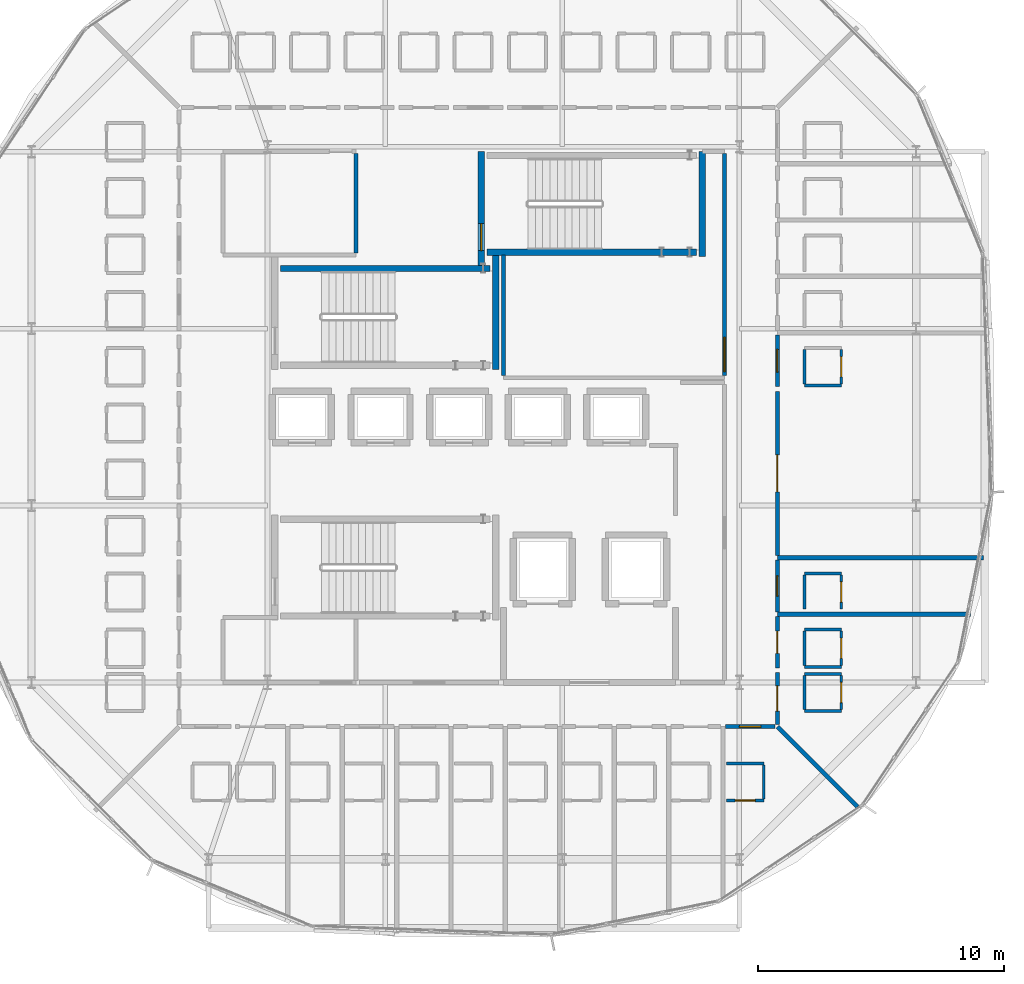
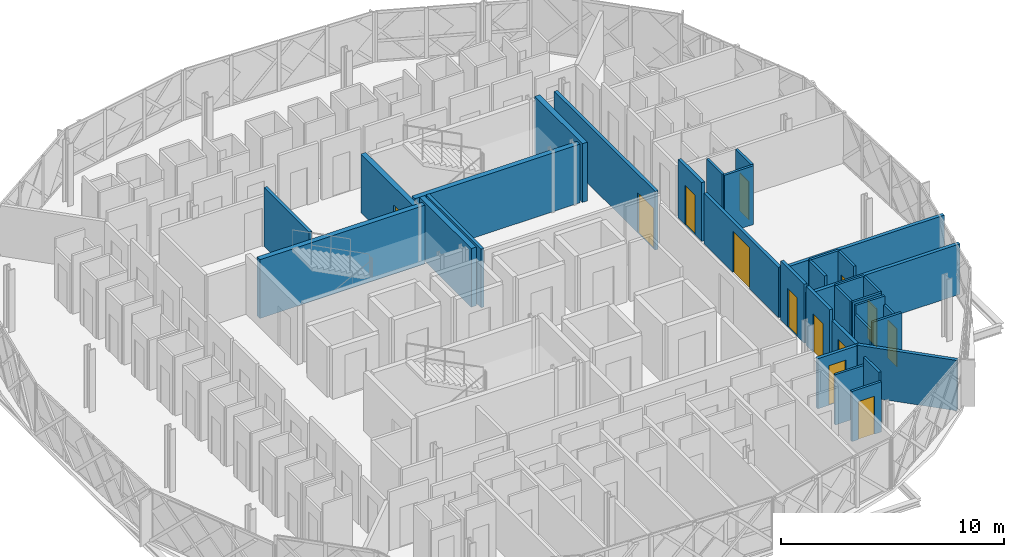
# One storey, part 32 of 40: 34 walls, 13 doors, 13 openings.
"""IFC4 building model written with IfcOpenShell, lengths in metres."""

from ifc_helpers import new_model, si_unit, direction, frame, frame_2d, origin, place, context, subcontext, project, spatial, rectangle, extrude, material, layer, layer_set, type_object, element, fill, save


model = new_model("IFC4")

# Units and contexts
model_context = context("Model", 3, precision=1e-05, world=origin(), true_north=direction((0.0, 1.0)))
body_context = subcontext(model_context, "Body", "Model", "MODEL_VIEW")
ifc_project = project(units=[si_unit("LENGTHUNIT", "METRE"), si_unit("AREAUNIT", "SQUARE_METRE"), si_unit("VOLUMEUNIT", "CUBIC_METRE"), si_unit("PLANEANGLEUNIT", "RADIAN"), si_unit("MASSUNIT", "GRAM", prefix="KILO")], contexts=[model_context])

# Site, building, storey
site_placement = place(None, origin())
site = spatial("IfcSite", under=ifc_project, at=site_placement, CompositionType="ELEMENT")
building_placement = place(site_placement, origin())
building = spatial("IfcBuilding", under=site, at=building_placement, Name="Zevrakil Square Congress Hotel", CompositionType="ELEMENT")
storey_placement = place(building_placement, frame((0.0, 0.0, 18.10009765625)))
storey = spatial("IfcBuildingStorey", under=building, at=storey_placement, Name="L05", CompositionType="ELEMENT", Elevation=18.10009765625)

# Walls
ifc_material_1 = material(Name="Gypsum Acoustic Stud Partition")
ifc_layer_1 = layer(ifc_material_1, 0.159912109375)
ifc_layer_set_1 = layer_set([ifc_layer_1], Name="Gypsum Acoustic Stud Partition")
wall_type_1 = type_object("IfcWallType", Name="WAL-CORR-160", PredefinedType="PARTITIONING", material=ifc_layer_set_1)
wall_1_placement = place(storey_placement, frame((140.39990234375, 34.284912109375, 0.0), z_axis=(0.0, 0.0, 1.0), x_axis=(0.0, 1.0, 0.0)))
element("IfcWall", 1, at=wall_1_placement, inside=storey, type_object=wall_type_1, Name="L05 interior partition PW-L05-0466", PredefinedType="PARTITIONING", context=body_context, shape_type="SweptSolid", body=[
    extrude(rectangle(XDim=4.030029296875, YDim=0.159912109375, at=frame_2d((2.01513671875, 0.0))), origin(), (0.0, 0.0, 1.0), 3.2099609375),
])
wall_2_placement = place(storey_placement, frame((146.39990234375, 29.284912109375, 0.0), z_axis=(0.0, 0.0, 1.0), x_axis=(0.0, 1.0, 0.0)))
element("IfcWall", 2, at=wall_2_placement, inside=storey, type_object=wall_type_1, Name="L05 interior partition PW-L05-0468", PredefinedType="PARTITIONING", context=body_context, shape_type="SweptSolid", body=[
    extrude(rectangle(XDim=4.9150390625, YDim=0.159912109375, at=frame_2d((2.45751953125, 0.0))), origin(), (0.0, 0.0, 1.0), 3.2099609375),
])

# Wall, opening, door
wall_3_placement = place(storey_placement, frame((155.39990234375, 29.284912109375, 0.0), z_axis=(0.0, 0.0, 1.0), x_axis=(0.0, 1.0, 0.0)))
wall_3 = element("IfcWall", 3, at=wall_3_placement, inside=storey, type_object=wall_type_1, Name="L05 interior partition PW-L05-0470", PredefinedType="PARTITIONING", context=body_context, shape_type="SweptSolid", body=[
    extrude(rectangle(XDim=9.030029296875, YDim=0.159912109375, at=frame_2d((4.51513671875, 0.0))), origin(), (0.0, 0.0, 1.0), 3.2099609375),
])
opening_1_placement = place(wall_3_placement, frame((0.159912109375, 0.0, 0.0)))
opening_1 = element("IfcOpeningElement", 4, at=opening_1_placement, cuts=wall_3, Name="Opening ID-09", PredefinedType="OPENING", context=body_context, shape_type="SweptSolid", body=[
    extrude(rectangle(XDim=1.39990234375, YDim=2.199951171875, at=frame_2d((0.699951171875, 1.10009765625))), frame((0.0, 0.08984375, 0.0), z_axis=(0.0, -1.0, 0.0), x_axis=(1.0, 0.0, 0.0)), (0.0, 0.0, 1.0), 0.179931640625),
])
ifc_material_2 = material(Name="Steel S355 Louvred Plant Fire Door", Category="steel")
door_type_1 = type_object("IfcDoorType", Name="DOR-PLANT-140", OperationType="NOTDEFINED", PredefinedType="DOOR", material=ifc_material_2)
door_1_placement = place(opening_1_placement, origin())
door_1 = element("IfcDoor", 5, at=door_1_placement, inside=storey, type_object=door_type_1, Name="L05 interior door 189", OperationType="SINGLE_SWING_LEFT", OverallHeight=2.199951171875, OverallWidth=1.39990234375, PredefinedType="DOOR", context=body_context, shape_type="SweptSolid", body=[
    extrude(rectangle(XDim=1.39990234375, YDim=2.199951171875, at=frame_2d((0.699951171875, 1.10009765625))), frame((0.0, 0.02490234375, 0.0), z_axis=(0.0, -1.0, 0.0), x_axis=(1.0, 0.0, 0.0)), (0.0, 0.0, 1.0), 0.050048828125),
])
fill(opening_1, door_1)

wall_4_placement = place(storey_placement, frame((157.550048828125, 21.9677734375, 0.0), z_axis=(0.0, 0.0, 1.0), x_axis=(0.0, 1.0, 0.0)))
wall_4 = element("IfcWall", 6, at=wall_4_placement, inside=storey, type_object=wall_type_1, Name="L05 interior partition PW-L05-0476", PredefinedType="PARTITIONING", context=body_context, shape_type="SweptSolid", body=[
    extrude(rectangle(XDim=6.6826171875, YDim=0.159912109375, at=frame_2d((3.34130859375, 0.0))), origin(), (0.0, 0.0, 1.0), 2.744873046875),
])
opening_2_placement = place(wall_4_placement, frame((2.59130859375, 0.0, 0.0)))
opening_2 = element("IfcOpeningElement", 7, at=opening_2_placement, cuts=wall_4, Name="Opening ID-03", PredefinedType="OPENING", context=body_context, shape_type="SweptSolid", body=[
    extrude(rectangle(XDim=1.5, YDim=2.25, at=frame_2d((0.75, 1.125))), frame((0.0, 0.08984375, 0.0), z_axis=(0.0, -1.0, 0.0), x_axis=(1.0, 0.0, 0.0)), (0.0, 0.0, 1.0), 0.179931640625),
])
ifc_material_3 = material(Name="Acoustic Double Meeting Door")
door_type_2 = type_object("IfcDoorType", Name="DOR-MTG-150", OperationType="NOTDEFINED", PredefinedType="DOOR", material=ifc_material_3)
door_2_placement = place(opening_2_placement, origin())
door_2 = element("IfcDoor", 8, at=door_2_placement, inside=storey, type_object=door_type_2, Name="L05 interior door 191", OperationType="DOUBLE_DOOR_SINGLE_SWING", OverallHeight=2.25, OverallWidth=1.5, PredefinedType="DOOR", context=body_context, shape_type="SweptSolid", body=[
    extrude(rectangle(XDim=1.5, YDim=2.25, at=frame_2d((0.75, 1.125))), frame((0.0, 0.02490234375, 0.0), z_axis=(0.0, -1.0, 0.0), x_axis=(1.0, 0.0, 0.0)), (0.0, 0.0, 1.0), 0.050048828125),
])
fill(opening_2, door_2)

wall_5_placement = place(storey_placement, frame((155.431396484375, 15.0, 0.0), z_axis=(0.0, 0.0, 1.0), x_axis=(1.0, 0.0, 0.0)))
wall_5 = element("IfcWall", 9, at=wall_5_placement, inside=storey, type_object=wall_type_1, Name="L05 interior partition PW-L05-0529", PredefinedType="PARTITIONING", context=body_context, shape_type="SweptSolid", body=[
    extrude(rectangle(XDim=2.023681640625, YDim=0.159912109375, at=frame_2d((1.01171875, 0.0))), origin(), (0.0, 0.0, 1.0), 2.744873046875),
])
opening_3_placement = place(wall_5_placement, frame((0.57373046875, 0.0, 0.0)))
opening_3 = element("IfcOpeningElement", 10, at=opening_3_placement, cuts=wall_5, Name="Opening ID-H03", PredefinedType="OPENING", context=body_context, shape_type="SweptSolid", body=[
    extrude(rectangle(XDim=0.8759765625, YDim=2.159912109375, at=frame_2d((0.43798828125, 1.080078125))), frame((0.0, 0.08984375, 0.0), z_axis=(0.0, -1.0, 0.0), x_axis=(1.0, 0.0, 0.0)), (0.0, 0.0, 1.0), 0.179931640625),
])
ifc_material_4 = material(Name="Acoustic Timber Fire Door", Category="wood")
door_type_3 = type_object("IfcDoorType", Name="DOR-INT-H03", OperationType="NOTDEFINED", PredefinedType="DOOR", material=ifc_material_4)
door_3_placement = place(opening_3_placement, origin())
door_3 = element("IfcDoor", 11, at=door_3_placement, inside=storey, type_object=door_type_3, Name="L05 interior door 212", OperationType="SINGLE_SWING_RIGHT", OverallHeight=2.159912109375, OverallWidth=0.8759765625, PredefinedType="DOOR", context=body_context, shape_type="SweptSolid", body=[
    extrude(rectangle(XDim=0.8759765625, YDim=2.159912109375, at=frame_2d((0.43798828125, 1.080078125))), frame((0.0, 0.02490234375, 0.0), z_axis=(0.0, -1.0, 0.0), x_axis=(1.0, 0.0, 0.0)), (0.0, 0.0, 1.0), 0.050048828125),
])
fill(opening_3, door_3)

wall_6_placement = place(storey_placement, frame((157.550048828125, 15.094970703125, 0.0), z_axis=(0.0, 0.0, 1.0), x_axis=(0.0, 1.0, 0.0)))
wall_6 = element("IfcWall", 12, at=wall_6_placement, inside=storey, type_object=wall_type_1, Name="L05 interior partition PW-L05-0534", PredefinedType="PARTITIONING", context=body_context, shape_type="SweptSolid", body=[
    extrude(rectangle(XDim=2.100830078125, YDim=0.159912109375, at=frame_2d((1.05029296875, 0.0))), origin(), (0.0, 0.0, 1.0), 2.744873046875),
])
opening_4_placement = place(wall_6_placement, frame((0.535400390625, 0.0, 0.0)))
opening_4 = element("IfcOpeningElement", 13, at=opening_4_placement, cuts=wall_6, Name="Opening ID-G08", PredefinedType="OPENING", context=body_context, shape_type="SweptSolid", body=[
    extrude(rectangle(XDim=1.030029296875, YDim=2.050048828125, at=frame_2d((0.51513671875, 1.02490234375))), frame((0.0, 0.08984375, 0.0), z_axis=(0.0, -1.0, 0.0), x_axis=(1.0, 0.0, 0.0)), (0.0, 0.0, 1.0), 0.179931640625),
])
ifc_material_5 = material(Name="Acoustic Timber Fire Door", Category="wood")
door_type_4 = type_object("IfcDoorType", Name="DOR-INT-G08", OperationType="NOTDEFINED", PredefinedType="DOOR", material=ifc_material_5)
door_4_placement = place(opening_4_placement, origin())
door_4 = element("IfcDoor", 14, at=door_4_placement, inside=storey, type_object=door_type_4, Name="L05 interior door 214", OperationType="SINGLE_SWING_RIGHT", OverallHeight=2.050048828125, OverallWidth=1.030029296875, PredefinedType="DOOR", context=body_context, shape_type="SweptSolid", body=[
    extrude(rectangle(XDim=1.030029296875, YDim=2.050048828125, at=frame_2d((0.51513671875, 1.02490234375))), frame((0.0, 0.02490234375, 0.0), z_axis=(0.0, -1.0, 0.0), x_axis=(1.0, 0.0, 0.0)), (0.0, 0.0, 1.0), 0.050048828125),
])
fill(opening_4, door_4)

wall_7_placement = place(storey_placement, frame((157.550048828125, 17.385986328125, 0.0), z_axis=(0.0, 0.0, 1.0), x_axis=(0.0, 1.0, 0.0)))
wall_7 = element("IfcWall", 15, at=wall_7_placement, inside=storey, type_object=wall_type_1, Name="L05 interior partition PW-L05-0539", PredefinedType="PARTITIONING", context=body_context, shape_type="SweptSolid", body=[
    extrude(rectangle(XDim=2.100830078125, YDim=0.159912109375, at=frame_2d((1.05029296875, 0.0))), origin(), (0.0, 0.0, 1.0), 3.2099609375),
])
opening_5_placement = place(wall_7_placement, frame((0.600341796875, 0.0, 0.0)))
opening_5 = element("IfcOpeningElement", 16, at=opening_5_placement, cuts=wall_7, Name="Opening ID-H05", PredefinedType="OPENING", context=body_context, shape_type="SweptSolid", body=[
    extrude(rectangle(XDim=0.89990234375, YDim=2.10009765625, at=frame_2d((0.449951171875, 1.050048828125))), frame((0.0, 0.08984375, 0.0), z_axis=(0.0, -1.0, 0.0), x_axis=(1.0, 0.0, 0.0)), (0.0, 0.0, 1.0), 0.179931640625),
])
ifc_material_6 = material(Name="Acoustic Timber Fire Door", Category="wood")
door_type_5 = type_object("IfcDoorType", Name="DOR-INT-H05", OperationType="NOTDEFINED", PredefinedType="DOOR", material=ifc_material_6)
door_5_placement = place(opening_5_placement, origin())
door_5 = element("IfcDoor", 17, at=door_5_placement, inside=storey, type_object=door_type_5, Name="L05 interior door 216", OperationType="SINGLE_SWING_RIGHT", OverallHeight=2.10009765625, OverallWidth=0.89990234375, PredefinedType="DOOR", context=body_context, shape_type="SweptSolid", body=[
    extrude(rectangle(XDim=0.89990234375, YDim=2.10009765625, at=frame_2d((0.449951171875, 1.050048828125))), frame((0.0, 0.02490234375, 0.0), z_axis=(0.0, -1.0, 0.0), x_axis=(1.0, 0.0, 0.0)), (0.0, 0.0, 1.0), 0.050048828125),
])
fill(opening_5, door_5)

wall_8_placement = place(storey_placement, frame((157.550048828125, 19.6767578125, 0.0), z_axis=(0.0, 0.0, 1.0), x_axis=(0.0, 1.0, 0.0)))
wall_8 = element("IfcWall", 18, at=wall_8_placement, inside=storey, type_object=wall_type_1, Name="L05 interior partition PW-L05-0545", PredefinedType="PARTITIONING", context=body_context, shape_type="SweptSolid", body=[
    extrude(rectangle(XDim=2.100830078125, YDim=0.159912109375, at=frame_2d((1.05029296875, 0.0))), origin(), (0.0, 0.0, 1.0), 3.2099609375),
])
opening_6_placement = place(wall_8_placement, frame((0.635498046875, 0.0, 0.0)))
opening_6 = element("IfcOpeningElement", 19, at=opening_6_placement, cuts=wall_8, Name="Opening ID-G10", PredefinedType="OPENING", context=body_context, shape_type="SweptSolid", body=[
    extrude(rectangle(XDim=0.830078125, YDim=2.110107421875, at=frame_2d((0.4150390625, 1.05517578125))), frame((0.0, 0.08984375, 0.0), z_axis=(0.0, -1.0, 0.0), x_axis=(1.0, 0.0, 0.0)), (0.0, 0.0, 1.0), 0.179931640625),
])
ifc_material_7 = material(Name="Acoustic Timber Fire Door", Category="wood")
door_type_6 = type_object("IfcDoorType", Name="DOR-INT-G10", OperationType="NOTDEFINED", PredefinedType="DOOR", material=ifc_material_7)
door_6_placement = place(opening_6_placement, origin())
door_6 = element("IfcDoor", 20, at=door_6_placement, inside=storey, type_object=door_type_6, Name="L05 interior door 218", OperationType="SINGLE_SWING_RIGHT", OverallHeight=2.110107421875, OverallWidth=0.830078125, PredefinedType="DOOR", context=body_context, shape_type="SweptSolid", body=[
    extrude(rectangle(XDim=0.830078125, YDim=2.110107421875, at=frame_2d((0.4150390625, 1.05517578125))), frame((0.0, 0.02490234375, 0.0), z_axis=(0.0, -1.0, 0.0), x_axis=(1.0, 0.0, 0.0)), (0.0, 0.0, 1.0), 0.050048828125),
])
fill(opening_6, door_6)

wall_9_placement = place(storey_placement, frame((157.550048828125, 28.840576171875, 0.0), z_axis=(0.0, 0.0, 1.0), x_axis=(0.0, 1.0, 0.0)))
wall_9 = element("IfcWall", 21, at=wall_9_placement, inside=storey, type_object=wall_type_1, Name="L05 interior partition PW-L05-0550", PredefinedType="PARTITIONING", context=body_context, shape_type="SweptSolid", body=[
    extrude(rectangle(XDim=2.100830078125, YDim=0.159912109375, at=frame_2d((1.05029296875, 0.0))), origin(), (0.0, 0.0, 1.0), 3.2099609375),
])
opening_7_placement = place(wall_9_placement, frame((0.58837890625, 0.0, 0.0)))
opening_7 = element("IfcOpeningElement", 22, at=opening_7_placement, cuts=wall_9, Name="Opening ID-H07", PredefinedType="OPENING", context=body_context, shape_type="SweptSolid", body=[
    extrude(rectangle(XDim=0.924072265625, YDim=2.159912109375, at=frame_2d((0.4619140625, 1.080078125))), frame((0.0, 0.08984375, 0.0), z_axis=(0.0, -1.0, 0.0), x_axis=(1.0, 0.0, 0.0)), (0.0, 0.0, 1.0), 0.179931640625),
])
ifc_material_8 = material(Name="Acoustic Timber Fire Door", Category="wood")
door_type_7 = type_object("IfcDoorType", Name="DOR-INT-H07", OperationType="NOTDEFINED", PredefinedType="DOOR", material=ifc_material_8)
door_7_placement = place(opening_7_placement, origin())
door_7 = element("IfcDoor", 23, at=door_7_placement, inside=storey, type_object=door_type_7, Name="L05 interior door 220", OperationType="SINGLE_SWING_RIGHT", OverallHeight=2.159912109375, OverallWidth=0.924072265625, PredefinedType="DOOR", context=body_context, shape_type="SweptSolid", body=[
    extrude(rectangle(XDim=0.924072265625, YDim=2.159912109375, at=frame_2d((0.4619140625, 1.080078125))), frame((0.0, 0.02490234375, 0.0), z_axis=(0.0, -1.0, 0.0), x_axis=(1.0, 0.0, 0.0)), (0.0, 0.0, 1.0), 0.050048828125),
])
fill(opening_7, door_7)

ifc_material_9 = material(Name="Moisture-Resistant Gypsum Partition")
ifc_layer_2 = layer(ifc_material_9, 0.1201171875)
ifc_layer_set_2 = layer_set([ifc_layer_2], Name="Moisture-Resistant Gypsum Partition")
wall_type_2 = type_object("IfcWallType", Name="WAL-ENS-120", PredefinedType="PARTITIONING", material=ifc_layer_set_2)
wall_10_placement = place(storey_placement, frame((155.476318359375, 12.0, 0.0), z_axis=(0.0, 0.0, 1.0), x_axis=(1.0, 0.0, 0.0)))
wall_10 = element("IfcWall", 24, at=wall_10_placement, inside=storey, type_object=wall_type_2, Name="L05 interior partition PW-L05-0530", PredefinedType="PARTITIONING", context=body_context, shape_type="SweptSolid", body=[
    extrude(rectangle(XDim=1.52001953125, YDim=0.1201171875, at=frame_2d((0.760009765625, 0.0))), origin(), (0.0, 0.0, 1.0), 2.744873046875),
])
opening_8_placement = place(wall_10_placement, frame((0.35009765625, 0.0, 0.0)))
opening_8 = element("IfcOpeningElement", 25, at=opening_8_placement, cuts=wall_10, Name="Opening ID-11", PredefinedType="OPENING", context=body_context, shape_type="SweptSolid", body=[
    extrude(rectangle(XDim=0.820068359375, YDim=2.080078125, at=frame_2d((0.41015625, 1.0400390625))), frame((0.0, 0.070068359375, 0.0), z_axis=(0.0, -1.0, 0.0), x_axis=(1.0, 0.0, 0.0)), (0.0, 0.0, 1.0), 0.14013671875),
])
ifc_material_10 = material(Name="Acoustic Timber Door", Category="wood")
door_type_8 = type_object("IfcDoorType", Name="DOR-INT-V01", OperationType="NOTDEFINED", PredefinedType="DOOR", material=ifc_material_10)
door_8_placement = place(opening_8_placement, origin())
door_8 = element("IfcDoor", 26, at=door_8_placement, inside=storey, type_object=door_type_8, Name="L05 interior door 213", OperationType="SINGLE_SWING_LEFT", OverallHeight=2.080078125, OverallWidth=0.820068359375, PredefinedType="DOOR", context=body_context, shape_type="SweptSolid", body=[
    extrude(rectangle(XDim=0.820068359375, YDim=2.080078125, at=frame_2d((0.41015625, 1.0400390625))), frame((0.0, 0.02490234375, 0.0), z_axis=(0.0, -1.0, 0.0), x_axis=(1.0, 0.0, 0.0)), (0.0, 0.0, 1.0), 0.050048828125),
])
fill(opening_8, door_8)

# Walls
wall_11_placement = place(storey_placement, frame((155.476318359375, 13.5, 0.0), z_axis=(0.0, 0.0, 1.0), x_axis=(1.0, 0.0, 0.0)))
element("IfcWall", 27, at=wall_11_placement, inside=storey, type_object=wall_type_2, Name="L05 interior partition PW-L05-0531", PredefinedType="PARTITIONING", context=body_context, shape_type="SweptSolid", body=[
    extrude(rectangle(XDim=1.52001953125, YDim=0.1201171875, at=frame_2d((0.760009765625, 0.0))), origin(), (0.0, 0.0, 1.0), 2.744873046875),
])
wall_12_placement = place(storey_placement, frame((156.996337890625, 12.06494140625, 0.0), z_axis=(0.0, 0.0, 1.0), x_axis=(0.0, 1.0, 0.0)))
element("IfcWall", 28, at=wall_12_placement, inside=storey, type_object=wall_type_2, Name="L05 interior partition PW-L05-0532", PredefinedType="PARTITIONING", context=body_context, shape_type="SweptSolid", body=[
    extrude(rectangle(XDim=1.3701171875, YDim=0.1201171875, at=frame_2d((0.68505859375, 0.0))), origin(), (0.0, 0.0, 1.0), 3.2099609375),
])
for number, where, z_axis, x_axis, name in (
    (29, (158.64990234375, 15.630859375, 0.0), (0.0, 0.0, 1.0), (1.0, 0.0, 0.0), "L05 interior partition PW-L05-0535"),
    (30, (158.64990234375, 17.15087890625, 0.0), (0.0, 0.0, 1.0), (1.0, 0.0, 0.0), "L05 interior partition PW-L05-0536"),
):
    element("IfcWall", number, at=place(storey_placement, frame(where, z_axis=z_axis, x_axis=x_axis)), inside=storey, type_object=wall_type_2, Name=name, PredefinedType="PARTITIONING", context=body_context, shape_type="SweptSolid", body=[
        extrude(rectangle(XDim=1.5, YDim=0.1201171875, at=frame_2d((0.75, 0.0))), origin(), (0.0, 0.0, 1.0), 3.2099609375),
    ])
wall_13_placement = place(storey_placement, frame((158.64990234375, 15.69580078125, 0.0), z_axis=(0.0, 0.0, 1.0), x_axis=(0.0, 1.0, 0.0)))
element("IfcWall", 31, at=wall_13_placement, inside=storey, type_object=wall_type_2, Name="L05 interior partition PW-L05-0537", PredefinedType="PARTITIONING", context=body_context, shape_type="SweptSolid", body=[
    extrude(rectangle(XDim=1.39013671875, YDim=0.1201171875, at=frame_2d((0.695068359375, 0.0))), origin(), (0.0, 0.0, 1.0), 2.744873046875),
])

# Wall, opening, door
wall_14_placement = place(storey_placement, frame((160.14990234375, 15.69580078125, 0.0), z_axis=(0.0, 0.0, 1.0), x_axis=(0.0, 1.0, 0.0)))
wall_14 = element("IfcWall", 32, at=wall_14_placement, inside=storey, type_object=wall_type_2, Name="L05 interior partition PW-L05-0538", PredefinedType="PARTITIONING", context=body_context, shape_type="SweptSolid", body=[
    extrude(rectangle(XDim=1.39013671875, YDim=0.1201171875, at=frame_2d((0.695068359375, 0.0))), origin(), (0.0, 0.0, 1.0), 2.744873046875),
])
opening_9_placement = place(wall_14_placement, frame((0.284912109375, 0.0, 0.0)))
opening_9 = element("IfcOpeningElement", 33, at=opening_9_placement, cuts=wall_14, Name="Opening ID-11", PredefinedType="OPENING", context=body_context, shape_type="SweptSolid", body=[
    extrude(rectangle(XDim=0.820068359375, YDim=2.080078125, at=frame_2d((0.41015625, 1.0400390625))), frame((0.0, 0.070068359375, 0.0), z_axis=(0.0, -1.0, 0.0), x_axis=(1.0, 0.0, 0.0)), (0.0, 0.0, 1.0), 0.14013671875),
])
door_9_placement = place(opening_9_placement, origin())
door_9 = element("IfcDoor", 34, at=door_9_placement, inside=storey, type_object=door_type_8, Name="L05 interior door 215", OperationType="SINGLE_SWING_LEFT", OverallHeight=2.080078125, OverallWidth=0.820068359375, PredefinedType="DOOR", context=body_context, shape_type="SweptSolid", body=[
    extrude(rectangle(XDim=0.820068359375, YDim=2.080078125, at=frame_2d((0.41015625, 1.0400390625))), frame((0.0, 0.02490234375, 0.0), z_axis=(0.0, -1.0, 0.0), x_axis=(1.0, 0.0, 0.0)), (0.0, 0.0, 1.0), 0.050048828125),
])
fill(opening_9, door_9)

# Walls
for number, where, z_axis, x_axis, name in (
    (35, (158.64990234375, 17.430908203125, 0.0), (0.0, 0.0, 1.0), (1.0, 0.0, 0.0), "L05 interior partition PW-L05-0540"),
    (36, (158.64990234375, 18.950927734375, 0.0), (0.0, 0.0, 1.0), (1.0, 0.0, 0.0), "L05 interior partition PW-L05-0541"),
):
    element("IfcWall", number, at=place(storey_placement, frame(where, z_axis=z_axis, x_axis=x_axis)), inside=storey, type_object=wall_type_2, Name=name, PredefinedType="PARTITIONING", context=body_context, shape_type="SweptSolid", body=[
        extrude(rectangle(XDim=1.5, YDim=0.1201171875, at=frame_2d((0.75, 0.0))), origin(), (0.0, 0.0, 1.0), 3.2099609375),
    ])
wall_15_placement = place(storey_placement, frame((158.64990234375, 17.495849609375, 0.0), z_axis=(0.0, 0.0, 1.0), x_axis=(0.0, 1.0, 0.0)))
element("IfcWall", 37, at=wall_15_placement, inside=storey, type_object=wall_type_2, Name="L05 interior partition PW-L05-0542", PredefinedType="PARTITIONING", context=body_context, shape_type="SweptSolid", body=[
    extrude(rectangle(XDim=1.39013671875, YDim=0.1201171875, at=frame_2d((0.695068359375, 0.0))), origin(), (0.0, 0.0, 1.0), 3.2099609375),
])

# Wall, opening, door
wall_16_placement = place(storey_placement, frame((160.14990234375, 17.495849609375, 0.0), z_axis=(0.0, 0.0, 1.0), x_axis=(0.0, 1.0, 0.0)))
wall_16 = element("IfcWall", 38, at=wall_16_placement, inside=storey, type_object=wall_type_2, Name="L05 interior partition PW-L05-0543", PredefinedType="PARTITIONING", context=body_context, shape_type="SweptSolid", body=[
    extrude(rectangle(XDim=1.39013671875, YDim=0.1201171875, at=frame_2d((0.695068359375, 0.0))), origin(), (0.0, 0.0, 1.0), 3.2099609375),
])
opening_10_placement = place(wall_16_placement, frame((0.284912109375, 0.0, 0.0)))
opening_10 = element("IfcOpeningElement", 39, at=opening_10_placement, cuts=wall_16, Name="Opening ID-11", PredefinedType="OPENING", context=body_context, shape_type="SweptSolid", body=[
    extrude(rectangle(XDim=0.820068359375, YDim=2.080078125, at=frame_2d((0.41015625, 1.0400390625))), frame((0.0, 0.070068359375, 0.0), z_axis=(0.0, -1.0, 0.0), x_axis=(1.0, 0.0, 0.0)), (0.0, 0.0, 1.0), 0.14013671875),
])
door_10_placement = place(opening_10_placement, origin())
door_10 = element("IfcDoor", 40, at=door_10_placement, inside=storey, type_object=door_type_8, Name="L05 interior door 217", OperationType="SINGLE_SWING_LEFT", OverallHeight=2.080078125, OverallWidth=0.820068359375, PredefinedType="DOOR", context=body_context, shape_type="SweptSolid", body=[
    extrude(rectangle(XDim=0.820068359375, YDim=2.080078125, at=frame_2d((0.41015625, 1.0400390625))), frame((0.0, 0.02490234375, 0.0), z_axis=(0.0, -1.0, 0.0), x_axis=(1.0, 0.0, 0.0)), (0.0, 0.0, 1.0), 0.050048828125),
])
fill(opening_10, door_10)

# Walls
wall_17_placement = place(storey_placement, frame((158.64990234375, 21.24169921875, 0.0), z_axis=(0.0, 0.0, 1.0), x_axis=(1.0, 0.0, 0.0)))
element("IfcWall", 41, at=wall_17_placement, inside=storey, type_object=wall_type_2, Name="L05 interior partition PW-L05-0546", PredefinedType="PARTITIONING", context=body_context, shape_type="SweptSolid", body=[
    extrude(rectangle(XDim=1.5, YDim=0.1201171875, at=frame_2d((0.75, 0.0))), origin(), (0.0, 0.0, 1.0), 3.2099609375),
])
wall_18_placement = place(storey_placement, frame((158.64990234375, 19.786865234375, 0.0), z_axis=(0.0, 0.0, 1.0), x_axis=(0.0, 1.0, 0.0)))
element("IfcWall", 42, at=wall_18_placement, inside=storey, type_object=wall_type_2, Name="L05 interior partition PW-L05-0547", PredefinedType="PARTITIONING", context=body_context, shape_type="SweptSolid", body=[
    extrude(rectangle(XDim=1.389892578125, YDim=0.1201171875, at=frame_2d((0.69482421875, 0.0))), origin(), (0.0, 0.0, 1.0), 3.2099609375),
])

# Wall, opening, door
wall_19_placement = place(storey_placement, frame((160.14990234375, 19.786865234375, 0.0), z_axis=(0.0, 0.0, 1.0), x_axis=(0.0, 1.0, 0.0)))
wall_19 = element("IfcWall", 43, at=wall_19_placement, inside=storey, type_object=wall_type_2, Name="L05 interior partition PW-L05-0548", PredefinedType="PARTITIONING", context=body_context, shape_type="SweptSolid", body=[
    extrude(rectangle(XDim=1.389892578125, YDim=0.1201171875, at=frame_2d((0.69482421875, 0.0))), origin(), (0.0, 0.0, 1.0), 3.2099609375),
])
opening_11_placement = place(wall_19_placement, frame((0.284912109375, 0.0, 0.0)))
opening_11 = element("IfcOpeningElement", 44, at=opening_11_placement, cuts=wall_19, Name="Opening ID-11", PredefinedType="OPENING", context=body_context, shape_type="SweptSolid", body=[
    extrude(rectangle(XDim=0.820068359375, YDim=2.080078125, at=frame_2d((0.41015625, 1.0400390625))), frame((0.0, 0.070068359375, 0.0), z_axis=(0.0, -1.0, 0.0), x_axis=(1.0, 0.0, 0.0)), (0.0, 0.0, 1.0), 0.14013671875),
])
door_11_placement = place(opening_11_placement, origin())
door_11 = element("IfcDoor", 45, at=door_11_placement, inside=storey, type_object=door_type_8, Name="L05 interior door 219", OperationType="SINGLE_SWING_LEFT", OverallHeight=2.080078125, OverallWidth=0.820068359375, PredefinedType="DOOR", context=body_context, shape_type="SweptSolid", body=[
    extrude(rectangle(XDim=0.820068359375, YDim=2.080078125, at=frame_2d((0.41015625, 1.0400390625))), frame((0.0, 0.02490234375, 0.0), z_axis=(0.0, -1.0, 0.0), x_axis=(1.0, 0.0, 0.0)), (0.0, 0.0, 1.0), 0.050048828125),
])
fill(opening_11, door_11)

# Walls
wall_20_placement = place(storey_placement, frame((158.64990234375, 28.885498046875, 0.0), z_axis=(0.0, 0.0, 1.0), x_axis=(1.0, 0.0, 0.0)))
element("IfcWall", 46, at=wall_20_placement, inside=storey, type_object=wall_type_2, Name="L05 interior partition PW-L05-0551", PredefinedType="PARTITIONING", context=body_context, shape_type="SweptSolid", body=[
    extrude(rectangle(XDim=1.5, YDim=0.1201171875, at=frame_2d((0.75, 0.0))), origin(), (0.0, 0.0, 1.0), 3.2099609375),
])
wall_21_placement = place(storey_placement, frame((158.64990234375, 28.950439453125, 0.0), z_axis=(0.0, 0.0, 1.0), x_axis=(0.0, 1.0, 0.0)))
element("IfcWall", 47, at=wall_21_placement, inside=storey, type_object=wall_type_2, Name="L05 interior partition PW-L05-0553", PredefinedType="PARTITIONING", context=body_context, shape_type="SweptSolid", body=[
    extrude(rectangle(XDim=1.39013671875, YDim=0.1201171875, at=frame_2d((0.695068359375, 0.0))), origin(), (0.0, 0.0, 1.0), 3.2099609375),
])

# Wall, opening, door
wall_22_placement = place(storey_placement, frame((160.14990234375, 28.950439453125, 0.0), z_axis=(0.0, 0.0, 1.0), x_axis=(0.0, 1.0, 0.0)))
wall_22 = element("IfcWall", 48, at=wall_22_placement, inside=storey, type_object=wall_type_2, Name="L05 interior partition PW-L05-0554", PredefinedType="PARTITIONING", context=body_context, shape_type="SweptSolid", body=[
    extrude(rectangle(XDim=1.39013671875, YDim=0.1201171875, at=frame_2d((0.695068359375, 0.0))), origin(), (0.0, 0.0, 1.0), 3.2099609375),
])
opening_12_placement = place(wall_22_placement, frame((0.284912109375, 0.0, 0.0)))
opening_12 = element("IfcOpeningElement", 49, at=opening_12_placement, cuts=wall_22, Name="Opening ID-11", PredefinedType="OPENING", context=body_context, shape_type="SweptSolid", body=[
    extrude(rectangle(XDim=0.820068359375, YDim=2.080078125, at=frame_2d((0.41015625, 1.0400390625))), frame((0.0, 0.070068359375, 0.0), z_axis=(0.0, -1.0, 0.0), x_axis=(1.0, 0.0, 0.0)), (0.0, 0.0, 1.0), 0.14013671875),
])
door_12_placement = place(opening_12_placement, origin())
door_12 = element("IfcDoor", 50, at=door_12_placement, inside=storey, type_object=door_type_8, Name="L05 interior door 221", OperationType="SINGLE_SWING_LEFT", OverallHeight=2.080078125, OverallWidth=0.820068359375, PredefinedType="DOOR", context=body_context, shape_type="SweptSolid", body=[
    extrude(rectangle(XDim=0.820068359375, YDim=2.080078125, at=frame_2d((0.41015625, 1.0400390625))), frame((0.0, 0.02490234375, 0.0), z_axis=(0.0, -1.0, 0.0), x_axis=(1.0, 0.0, 0.0)), (0.0, 0.0, 1.0), 0.050048828125),
])
fill(opening_12, door_12)

# Walls
ifc_material_11 = material(Name="Gypsum Twin-Stud Party Partition")
ifc_layer_3 = layer(ifc_material_11, 0.179931640625)
ifc_layer_set_3 = layer_set([ifc_layer_3], Name="Gypsum Twin-Stud Party Partition")
wall_type_3 = type_object("IfcWallType", Name="WAL-PARTY-180", PredefinedType="PARTITIONING", material=ifc_layer_set_3)
wall_23_placement = place(storey_placement, frame((157.550048828125, 15.0, 0.0), z_axis=(0.0, 0.0, 1.0), x_axis=(0.707106781187, -0.707106781187, 0.0)))
element("IfcWall", 51, at=wall_23_placement, inside=storey, type_object=wall_type_3, Name="L05 interior partition PW-L05-0533", PredefinedType="PARTITIONING", context=body_context, shape_type="SweptSolid", body=[
    extrude(rectangle(XDim=4.615478515625, YDim=0.179931640625, at=frame_2d((2.3076171875, 0.0))), origin(), (0.0, 0.0, 1.0), 2.7548828125),
])
wall_24_placement = place(storey_placement, frame((157.550048828125, 19.581787109375, 0.0), z_axis=(0.0, 0.0, 1.0), x_axis=(1.0, 0.0, 0.0)))
element("IfcWall", 52, at=wall_24_placement, inside=storey, type_object=wall_type_3, Name="L05 interior partition PW-L05-0544", PredefinedType="PARTITIONING", context=body_context, shape_type="SweptSolid", body=[
    extrude(rectangle(XDim=7.86865234375, YDim=0.179931640625, at=frame_2d((3.934326171875, 0.0))), origin(), (0.0, 0.0, 1.0), 2.7548828125),
])
wall_25_placement = place(storey_placement, frame((157.550048828125, 21.872802734375, 0.0), z_axis=(0.0, 0.0, 1.0), x_axis=(1.0, 0.0, 0.0)))
element("IfcWall", 53, at=wall_25_placement, inside=storey, type_object=wall_type_3, Name="L05 interior partition PW-L05-0549", PredefinedType="PARTITIONING", context=body_context, shape_type="SweptSolid", body=[
    extrude(rectangle(XDim=8.390869140625, YDim=0.179931640625, at=frame_2d((4.1953125, 0.0))), origin(), (0.0, 0.0, 1.0), 2.7548828125),
])
ifc_material_12 = material(Name="Concrete C40/50", Category="concrete")
ifc_layer_4 = layer(ifc_material_12, 0.260009765625)
ifc_layer_set_4 = layer_set([ifc_layer_4], Name="Concrete C40/50")
wall_type_4 = type_object("IfcWallType", Name="WAL-SHAFT-260", PredefinedType="SHEAR", material=ifc_layer_set_4)
wall_26_placement = place(storey_placement, frame((146.094970703125, 29.5400390625, 0.0), z_axis=(0.0, 0.0, 1.0), x_axis=(0.0, 1.0, 0.0)))
element("IfcWall", 54, at=wall_26_placement, inside=storey, type_object=wall_type_4, Name="L05 ST02 stair shaft E wall", PredefinedType="SHEAR", context=body_context, shape_type="SweptSolid", body=[
    extrude(rectangle(XDim=4.635009765625, YDim=0.260009765625, at=frame_2d((2.3173828125, 0.0))), origin(), (0.0, 0.0, 1.0), 3.2099609375),
])
wall_27_placement = place(storey_placement, frame((137.340087890625, 33.64501953125, 0.0), z_axis=(0.0, 0.0, 1.0), x_axis=(1.0, 0.0, 0.0)))
element("IfcWall", 55, at=wall_27_placement, inside=storey, type_object=wall_type_4, Name="L05 ST02 stair shaft N wall", PredefinedType="SHEAR", context=body_context, shape_type="SweptSolid", body=[
    extrude(rectangle(XDim=8.52001953125, YDim=0.260009765625, at=frame_2d((4.260009765625, 0.0))), origin(), (0.0, 0.0, 1.0), 3.2099609375),
])

# Wall, opening, door
wall_28_placement = place(storey_placement, frame((145.5048828125, 33.764892578125, 0.0), z_axis=(0.0, 0.0, 1.0), x_axis=(0.0, 1.0, 0.0)))
wall_28 = element("IfcWall", 56, at=wall_28_placement, inside=storey, type_object=wall_type_4, Name="L05 ST03 stair shaft W wall", PredefinedType="SHEAR", context=body_context, shape_type="SweptSolid", body=[
    extrude(rectangle(XDim=4.64501953125, YDim=0.260009765625, at=frame_2d((2.322509765625, 0.0))), origin(), (0.0, 0.0, 1.0), 3.2099609375),
])
opening_13_placement = place(wall_28_placement, frame((0.610107421875, 0.0, 0.0)))
opening_13 = element("IfcOpeningElement", 57, at=opening_13_placement, cuts=wall_28, Name="Opening SD-ST03", PredefinedType="OPENING", context=body_context, shape_type="SweptSolid", body=[
    extrude(rectangle(XDim=1.10009765625, YDim=2.199951171875, at=frame_2d((0.550048828125, 1.10009765625))), frame((0.0, 0.14013671875, 0.0), z_axis=(0.0, -1.0, 0.0), x_axis=(1.0, 0.0, 0.0)), (0.0, 0.0, 1.0), 0.280029296875),
])
ifc_material_13 = material(Name="Steel S355 Fire-Rated Door", Category="steel")
door_type_9 = type_object("IfcDoorType", Name="DOR-STAIR-FD90-110", OperationType="NOTDEFINED", PredefinedType="DOOR", material=ifc_material_13)
door_13_placement = place(opening_13_placement, origin())
door_13 = element("IfcDoor", 58, at=door_13_placement, inside=storey, type_object=door_type_9, Name="L05 ST03 protected stair fire door", OperationType="SINGLE_SWING_RIGHT", OverallHeight=2.199951171875, OverallWidth=1.10009765625, PredefinedType="DOOR", context=body_context, shape_type="SweptSolid", body=[
    extrude(rectangle(XDim=1.10009765625, YDim=2.199951171875, at=frame_2d((0.550048828125, 1.10009765625))), frame((0.0, 0.02490234375, 0.0), z_axis=(0.0, -1.0, 0.0), x_axis=(1.0, 0.0, 0.0)), (0.0, 0.0, 1.0), 0.050048828125),
])
fill(opening_13, door_13)

# Walls
wall_29_placement = place(storey_placement, frame((154.4951171875, 34.139892578125, 0.0), z_axis=(0.0, 0.0, 1.0), x_axis=(0.0, 1.0, 0.0)))
element("IfcWall", 59, at=wall_29_placement, inside=storey, type_object=wall_type_4, Name="L05 ST03 stair shaft E wall", PredefinedType="SHEAR", context=body_context, shape_type="SweptSolid", body=[
    extrude(rectangle(XDim=4.27001953125, YDim=0.260009765625, at=frame_2d((2.135009765625, 0.0))), origin(), (0.0, 0.0, 1.0), 3.2099609375),
])
wall_30_placement = place(storey_placement, frame((145.739990234375, 34.304931640625, 0.0), z_axis=(0.0, 0.0, 1.0), x_axis=(1.0, 0.0, 0.0)))
element("IfcWall", 60, at=wall_30_placement, inside=storey, type_object=wall_type_4, Name="L05 ST03 stair shaft S wall", PredefinedType="SHEAR", context=body_context, shape_type="SweptSolid", body=[
    extrude(rectangle(XDim=8.52001953125, YDim=0.260009765625, at=frame_2d((4.260009765625, 0.0))), origin(), (0.0, 0.0, 1.0), 3.2099609375),
])

save(model, "model.ifc")
